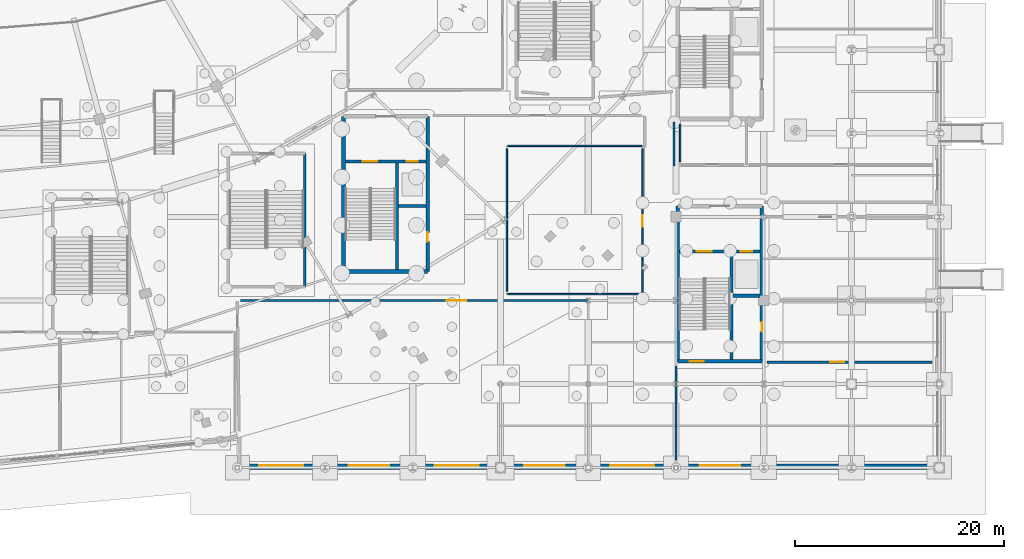
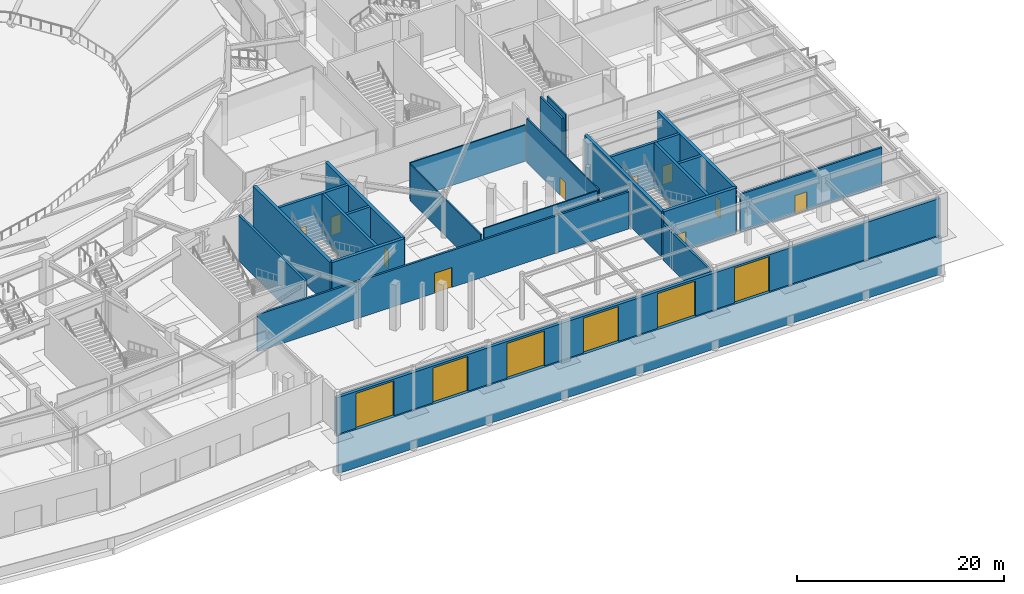
# One storey, part 60 of 93: 24 walls, 16 doors, 16 openings.
"""IFC4 building model written with IfcOpenShell, lengths in metres."""

from ifc_helpers import new_model, si_unit, direction, frame, frame_2d, origin, place, context, subcontext, project, spatial, rectangle, extrude, material, layer, layer_set, type_object, element, fill, save


model = new_model("IFC4")

# Units and contexts
model_context = context("Model", 3, precision=1e-05, world=origin(), true_north=direction((0.0, 1.0)))
body_context = subcontext(model_context, "Body", "Model", "MODEL_VIEW")
ifc_project = project(units=[si_unit("LENGTHUNIT", "METRE"), si_unit("AREAUNIT", "SQUARE_METRE"), si_unit("VOLUMEUNIT", "CUBIC_METRE"), si_unit("PLANEANGLEUNIT", "RADIAN"), si_unit("MASSUNIT", "GRAM", prefix="KILO")], contexts=[model_context])

# Site, building, storey
site_placement = place(None, origin())
site = spatial("IfcSite", under=ifc_project, at=site_placement, CompositionType="ELEMENT")
building_placement = place(site_placement, origin())
building = spatial("IfcBuilding", under=site, at=building_placement, Name="Kalgoora Escarpment Arena", CompositionType="ELEMENT")
storey_placement = place(building_placement, origin())
storey = spatial("IfcBuildingStorey", under=building, at=storey_placement, Name="L00", CompositionType="ELEMENT", Elevation=0.0)

# Walls
ifc_material_1 = material(Name="Impact-resistant athlete corridor partition", Category="gypsum")
ifc_layer_1 = layer(ifc_material_1, 0.155029296875)
ifc_layer_set_1 = layer_set([ifc_layer_1], Name="WAL-BOH-155")
wall_type_1 = type_object("IfcWallType", Name="WAL-BOH-155", PredefinedType="PARTITIONING", material=ifc_layer_set_1)
wall_1_placement = place(storey_placement, frame((160.0, 29.284912109375, 0.0), z_axis=(0.0, 0.0, 1.0), x_axis=(0.0, 1.0, 0.0)))
element("IfcWall", 1, at=wall_1_placement, inside=storey, type_object=wall_type_1, Name="L00 Strength Conditioning Gym partition wall", PredefinedType="PARTITIONING", context=body_context, shape_type="SweptSolid", body=[
    extrude(rectangle(XDim=3.590087890625, YDim=0.155029296875, at=frame_2d((1.794921875, 0.0))), origin(), (0.0, 0.0, 1.0), 5.1201171875),
])
ifc_material_2 = material(Name="Concrete N50 (fc' 50 MPa)", Category="concrete")
ifc_layer_2 = layer(ifc_material_2, 0.35009765625)
ifc_layer_set_2 = layer_set([ifc_layer_2], Name="WAL-CORE-350")
wall_type_2 = type_object("IfcWallType", Name="WAL-CORE-350", PredefinedType="SHEAR", material=ifc_layer_set_2)
wall_2_placement = place(storey_placement, frame((127.77490234375, 18.77490234375, 0.0), z_axis=(0.0, 0.0, 1.0), x_axis=(1.0, 0.0, 0.0)))
element("IfcWall", 2, at=wall_2_placement, inside=storey, type_object=wall_type_2, Name="Core C6 L00 south shear wall", PredefinedType="SHEAR", context=body_context, shape_type="SweptSolid", body=[
    extrude(rectangle(XDim=8.050048828125, YDim=0.35009765625, at=frame_2d((4.02490234375, 0.0))), origin(), (0.0, 0.0, 1.0), 5.39990234375),
])
wall_3_placement = place(storey_placement, frame((127.77490234375, 18.77490234375, 0.0), z_axis=(0.0, 0.0, 1.0), x_axis=(0.0, 1.0, 0.0)))
element("IfcWall", 3, at=wall_3_placement, inside=storey, type_object=wall_type_2, Name="Core C6 L00 west shear wall", PredefinedType="SHEAR", context=body_context, shape_type="SweptSolid", body=[
    extrude(rectangle(XDim=14.85009765625, YDim=0.35009765625, at=frame_2d((7.425048828125, 0.0))), origin(), (0.0, 0.0, 1.0), 5.39990234375),
])

# Wall, opening, door
wall_4_placement = place(storey_placement, frame((135.824951171875, 18.77490234375, 0.0), z_axis=(0.0, 0.0, 1.0), x_axis=(0.0, 1.0, 0.0)))
wall_4 = element("IfcWall", 4, at=wall_4_placement, inside=storey, type_object=wall_type_2, Name="Core C6 L00 east shear wall", PredefinedType="SHEAR", context=body_context, shape_type="SweptSolid", body=[
    extrude(rectangle(XDim=14.85009765625, YDim=0.35009765625, at=frame_2d((7.425048828125, 0.0))), origin(), (0.0, 0.0, 1.0), 5.39990234375),
])
opening_1_placement = place(wall_4_placement, frame((2.85498046875, 0.0, 0.0)))
opening_1 = element("IfcOpeningElement", 5, at=opening_1_placement, cuts=wall_4, Name="Opening FD-C6R", PredefinedType="OPENING", context=body_context, shape_type="SweptSolid", body=[
    extrude(rectangle(XDim=0.89990234375, YDim=2.10009765625, at=frame_2d((0.449951171875, 1.050048828125))), frame((0.0, 0.18505859375, 0.0), z_axis=(0.0, -1.0, 0.0), x_axis=(1.0, 0.0, 0.0)), (0.0, 0.0, 1.0), 0.3701171875),
])
ifc_material_3 = material(Name="Fire-rated steel riser access door", Category="steel")
door_type_1 = type_object("IfcDoorType", Name="DR-RISER-0900", OperationType="NOTDEFINED", PredefinedType="DOOR", material=ifc_material_3)
door_1_placement = place(opening_1_placement, origin())
door_1 = element("IfcDoor", 6, at=door_1_placement, inside=storey, type_object=door_type_1, Name="Core C6 L00 riser cupboard access door", OperationType="SINGLE_SWING_RIGHT", OverallHeight=2.10009765625, OverallWidth=0.89990234375, PredefinedType="DOOR", context=body_context, shape_type="SweptSolid", body=[
    extrude(rectangle(XDim=0.89990234375, YDim=2.10009765625, at=frame_2d((0.449951171875, 1.050048828125))), frame((0.0, 0.02490234375, 0.0), z_axis=(0.0, -1.0, 0.0), x_axis=(1.0, 0.0, 0.0)), (0.0, 0.0, 1.0), 0.050048828125),
])
fill(opening_1, door_1)

wall_5_placement = place(storey_placement, frame((159.77490234375, 10.175048828125, 0.0), z_axis=(0.0, 0.0, 1.0), x_axis=(1.0, 0.0, 0.0)))
wall_5 = element("IfcWall", 7, at=wall_5_placement, inside=storey, type_object=wall_type_2, Name="Core C8 L00 south shear wall", PredefinedType="SHEAR", context=body_context, shape_type="SweptSolid", body=[
    extrude(rectangle(XDim=8.050048828125, YDim=0.35009765625, at=frame_2d((4.02490234375, 0.0))), origin(), (0.0, 0.0, 1.0), 5.39990234375),
])
opening_2_placement = place(wall_5_placement, frame((1.14990234375, 0.0, 0.0)))
opening_2 = element("IfcOpeningElement", 8, at=opening_2_placement, cuts=wall_5, Name="Opening FD-ST08X", PredefinedType="OPENING", context=body_context, shape_type="SweptSolid", body=[
    extrude(rectangle(XDim=1.320068359375, YDim=2.199951171875, at=frame_2d((0.66015625, 1.10009765625))), frame((0.0, 0.18505859375, 0.0), z_axis=(0.0, -1.0, 0.0), x_axis=(1.0, 0.0, 0.0)), (0.0, 0.0, 1.0), 0.3701171875),
])
ifc_material_4 = material(Name="Fire-rated steel stair leaf with vision panel", Category="steel")
door_type_2 = type_object("IfcDoorType", Name="DR-STAIR-1320", OperationType="NOTDEFINED", PredefinedType="DOOR", material=ifc_material_4)
door_2_placement = place(opening_2_placement, origin())
door_2 = element("IfcDoor", 9, at=door_2_placement, inside=storey, type_object=door_type_2, Name="Fire stair ST08 L00 protected discharge door", OperationType="SINGLE_SWING_RIGHT", OverallHeight=2.199951171875, OverallWidth=1.320068359375, PredefinedType="DOOR", context=body_context, shape_type="SweptSolid", body=[
    extrude(rectangle(XDim=1.320068359375, YDim=2.199951171875, at=frame_2d((0.66015625, 1.10009765625))), frame((0.0, 0.02490234375, 0.0), z_axis=(0.0, -1.0, 0.0), x_axis=(1.0, 0.0, 0.0)), (0.0, 0.0, 1.0), 0.050048828125),
])
fill(opening_2, door_2)

# Wall
wall_6_placement = place(storey_placement, frame((159.77490234375, 10.175048828125, 0.0), z_axis=(0.0, 0.0, 1.0), x_axis=(0.0, 1.0, 0.0)))
element("IfcWall", 10, at=wall_6_placement, inside=storey, type_object=wall_type_2, Name="Core C8 L00 west shear wall", PredefinedType="SHEAR", context=body_context, shape_type="SweptSolid", body=[
    extrude(rectangle(XDim=14.849853515625, YDim=0.35009765625, at=frame_2d((7.4248046875, 0.0))), origin(), (0.0, 0.0, 1.0), 5.39990234375),
])

# Wall, opening, door
wall_7_placement = place(storey_placement, frame((167.824951171875, 10.175048828125, 0.0), z_axis=(0.0, 0.0, 1.0), x_axis=(0.0, 1.0, 0.0)))
wall_7 = element("IfcWall", 11, at=wall_7_placement, inside=storey, type_object=wall_type_2, Name="Core C8 L00 east shear wall", PredefinedType="SHEAR", context=body_context, shape_type="SweptSolid", body=[
    extrude(rectangle(XDim=14.849853515625, YDim=0.35009765625, at=frame_2d((7.4248046875, 0.0))), origin(), (0.0, 0.0, 1.0), 5.39990234375),
])
opening_3_placement = place(wall_7_placement, frame((2.85498046875, 0.0, 0.0)))
opening_3 = element("IfcOpeningElement", 12, at=opening_3_placement, cuts=wall_7, Name="Opening FD-C8R", PredefinedType="OPENING", context=body_context, shape_type="SweptSolid", body=[
    extrude(rectangle(XDim=0.89990234375, YDim=2.10009765625, at=frame_2d((0.449951171875, 1.050048828125))), frame((0.0, 0.18505859375, 0.0), z_axis=(0.0, -1.0, 0.0), x_axis=(1.0, 0.0, 0.0)), (0.0, 0.0, 1.0), 0.3701171875),
])
door_3_placement = place(opening_3_placement, origin())
door_3 = element("IfcDoor", 13, at=door_3_placement, inside=storey, type_object=door_type_1, Name="Core C8 L00 riser cupboard access door", OperationType="SINGLE_SWING_LEFT", OverallHeight=2.10009765625, OverallWidth=0.89990234375, PredefinedType="DOOR", context=body_context, shape_type="SweptSolid", body=[
    extrude(rectangle(XDim=0.89990234375, YDim=2.10009765625, at=frame_2d((0.449951171875, 1.050048828125))), frame((0.0, 0.02490234375, 0.0), z_axis=(0.0, -1.0, 0.0), x_axis=(1.0, 0.0, 0.0)), (0.0, 0.0, 1.0), 0.050048828125),
])
fill(opening_3, door_3)

# Wall, openings, doors
ifc_material_5 = material(Name="Cream limestone-faced precast concrete 40 MPa", Category="masonry")
ifc_layer_3 = layer(ifc_material_5, 0.360107421875)
ifc_layer_set_3 = layer_set([ifc_layer_3], Name="WAL-EXT-360")
wall_type_3 = type_object("IfcWallType", Name="WAL-EXT-360", PredefinedType="SOLIDWALL", material=ifc_layer_set_3)
wall_8_placement = place(storey_placement, frame((184.84326171875, 0.179931640625, 0.0), z_axis=(0.0, 0.0, 1.0), x_axis=(-1.0, 0.0, 0.0)))
wall_8 = element("IfcWall", 14, at=wall_8_placement, inside=storey, type_object=wall_type_3, Name="L00 limestone-faced external wall 002", PredefinedType="SOLIDWALL", context=body_context, shape_type="SweptSolid", body=[
    extrude(rectangle(XDim=67.286376953125, YDim=0.360107421875, at=frame_2d((33.64306640625, 0.0))), origin(), (0.0, 0.0, 1.0), 4.324951171875),
])
opening_4_placement = place(wall_8_placement, frame((60.943115234375, 0.0, 0.0)))
opening_4 = element("IfcOpeningElement", 15, at=opening_4_placement, cuts=wall_8, Name="Opening DS01", PredefinedType="OPENING", context=body_context, shape_type="SweptSolid", body=[
    extrude(rectangle(XDim=4.199951171875, YDim=4.10009765625, at=frame_2d((2.10009765625, 2.050048828125))), frame((0.0, 0.18994140625, 0.0), z_axis=(0.0, -1.0, 0.0), x_axis=(1.0, 0.0, 0.0)), (0.0, 0.0, 1.0), 0.380126953125),
])
opening_5_placement = place(wall_8_placement, frame((52.693115234375, 0.0, 0.0)))
opening_5 = element("IfcOpeningElement", 16, at=opening_5_placement, cuts=wall_8, Name="Opening DS02", PredefinedType="OPENING", context=body_context, shape_type="SweptSolid", body=[
    extrude(rectangle(XDim=3.89990234375, YDim=4.10009765625, at=frame_2d((1.949951171875, 2.050048828125))), frame((0.0, 0.18994140625, 0.0), z_axis=(0.0, -1.0, 0.0), x_axis=(1.0, 0.0, 0.0)), (0.0, 0.0, 1.0), 0.380126953125),
])
opening_6_placement = place(wall_8_placement, frame((44.14306640625, 0.0, 0.0)))
opening_6 = element("IfcOpeningElement", 17, at=opening_6_placement, cuts=wall_8, Name="Opening DS03", PredefinedType="OPENING", context=body_context, shape_type="SweptSolid", body=[
    extrude(rectangle(XDim=4.199951171875, YDim=4.10009765625, at=frame_2d((2.10009765625, 2.050048828125))), frame((0.0, 0.18994140625, 0.0), z_axis=(0.0, -1.0, 0.0), x_axis=(1.0, 0.0, 0.0)), (0.0, 0.0, 1.0), 0.380126953125),
])
opening_7_placement = place(wall_8_placement, frame((35.89306640625, 0.0, 0.0)))
opening_7 = element("IfcOpeningElement", 18, at=opening_7_placement, cuts=wall_8, Name="Opening DS04", PredefinedType="OPENING", context=body_context, shape_type="SweptSolid", body=[
    extrude(rectangle(XDim=3.89990234375, YDim=4.10009765625, at=frame_2d((1.949951171875, 2.050048828125))), frame((0.0, 0.18994140625, 0.0), z_axis=(0.0, -1.0, 0.0), x_axis=(1.0, 0.0, 0.0)), (0.0, 0.0, 1.0), 0.380126953125),
])
opening_8_placement = place(wall_8_placement, frame((27.343017578125, 0.0, 0.0)))
opening_8 = element("IfcOpeningElement", 19, at=opening_8_placement, cuts=wall_8, Name="Opening DS05", PredefinedType="OPENING", context=body_context, shape_type="SweptSolid", body=[
    extrude(rectangle(XDim=4.199951171875, YDim=4.10009765625, at=frame_2d((2.10009765625, 2.050048828125))), frame((0.0, 0.18994140625, 0.0), z_axis=(0.0, -1.0, 0.0), x_axis=(1.0, 0.0, 0.0)), (0.0, 0.0, 1.0), 0.380126953125),
])
opening_9_placement = place(wall_8_placement, frame((19.093017578125, 0.0, 0.0)))
opening_9 = element("IfcOpeningElement", 20, at=opening_9_placement, cuts=wall_8, Name="Opening DS06", PredefinedType="OPENING", context=body_context, shape_type="SweptSolid", body=[
    extrude(rectangle(XDim=3.89990234375, YDim=4.10009765625, at=frame_2d((1.949951171875, 2.050048828125))), frame((0.0, 0.18994140625, 0.0), z_axis=(0.0, -1.0, 0.0), x_axis=(1.0, 0.0, 0.0)), (0.0, 0.0, 1.0), 0.380126953125),
])
ifc_material_6 = material(Name="Galvanised steel acoustic roller shutter", Category="steel")
door_type_3 = type_object("IfcDoorType", Name="DR-DOCK-3900", OperationType="NOTDEFINED", PredefinedType="DOOR", material=ifc_material_6)
door_4_placement = place(opening_5_placement, origin())
door_4 = element("IfcDoor", 21, at=door_4_placement, inside=storey, type_object=door_type_3, Name="Loading dock roller shutter DS02", OperationType="ROLLINGUP", OverallHeight=4.10009765625, OverallWidth=3.89990234375, PredefinedType="DOOR", context=body_context, shape_type="SweptSolid", body=[
    extrude(rectangle(XDim=3.89990234375, YDim=4.10009765625, at=frame_2d((1.949951171875, 2.050048828125))), frame((0.0, 0.02490234375, 0.0), z_axis=(0.0, -1.0, 0.0), x_axis=(1.0, 0.0, 0.0)), (0.0, 0.0, 1.0), 0.050048828125),
])
fill(opening_5, door_4)
door_5_placement = place(opening_7_placement, origin())
door_5 = element("IfcDoor", 22, at=door_5_placement, inside=storey, type_object=door_type_3, Name="Loading dock roller shutter DS04", OperationType="ROLLINGUP", OverallHeight=4.10009765625, OverallWidth=3.89990234375, PredefinedType="DOOR", context=body_context, shape_type="SweptSolid", body=[
    extrude(rectangle(XDim=3.89990234375, YDim=4.10009765625, at=frame_2d((1.949951171875, 2.050048828125))), frame((0.0, 0.02490234375, 0.0), z_axis=(0.0, -1.0, 0.0), x_axis=(1.0, 0.0, 0.0)), (0.0, 0.0, 1.0), 0.050048828125),
])
fill(opening_7, door_5)
door_6_placement = place(opening_9_placement, origin())
door_6 = element("IfcDoor", 23, at=door_6_placement, inside=storey, type_object=door_type_3, Name="Loading dock roller shutter DS06", OperationType="ROLLINGUP", OverallHeight=4.10009765625, OverallWidth=3.89990234375, PredefinedType="DOOR", context=body_context, shape_type="SweptSolid", body=[
    extrude(rectangle(XDim=3.89990234375, YDim=4.10009765625, at=frame_2d((1.949951171875, 2.050048828125))), frame((0.0, 0.02490234375, 0.0), z_axis=(0.0, -1.0, 0.0), x_axis=(1.0, 0.0, 0.0)), (0.0, 0.0, 1.0), 0.050048828125),
])
fill(opening_9, door_6)
ifc_material_7 = material(Name="Galvanised steel acoustic roller shutter", Category="steel")
door_type_4 = type_object("IfcDoorType", Name="DR-DOCK-4200", OperationType="NOTDEFINED", PredefinedType="DOOR", material=ifc_material_7)
door_7_placement = place(opening_4_placement, origin())
door_7 = element("IfcDoor", 24, at=door_7_placement, inside=storey, type_object=door_type_4, Name="Loading dock roller shutter DS01", OperationType="ROLLINGUP", OverallHeight=4.10009765625, OverallWidth=4.199951171875, PredefinedType="DOOR", context=body_context, shape_type="SweptSolid", body=[
    extrude(rectangle(XDim=4.199951171875, YDim=4.10009765625, at=frame_2d((2.10009765625, 2.050048828125))), frame((0.0, 0.02490234375, 0.0), z_axis=(0.0, -1.0, 0.0), x_axis=(1.0, 0.0, 0.0)), (0.0, 0.0, 1.0), 0.050048828125),
])
fill(opening_4, door_7)
door_8_placement = place(opening_6_placement, origin())
door_8 = element("IfcDoor", 25, at=door_8_placement, inside=storey, type_object=door_type_4, Name="Loading dock roller shutter DS03", OperationType="ROLLINGUP", OverallHeight=4.10009765625, OverallWidth=4.199951171875, PredefinedType="DOOR", context=body_context, shape_type="SweptSolid", body=[
    extrude(rectangle(XDim=4.199951171875, YDim=4.10009765625, at=frame_2d((2.10009765625, 2.050048828125))), frame((0.0, 0.02490234375, 0.0), z_axis=(0.0, -1.0, 0.0), x_axis=(1.0, 0.0, 0.0)), (0.0, 0.0, 1.0), 0.050048828125),
])
fill(opening_6, door_8)
door_9_placement = place(opening_8_placement, origin())
door_9 = element("IfcDoor", 26, at=door_9_placement, inside=storey, type_object=door_type_4, Name="Loading dock roller shutter DS05", OperationType="ROLLINGUP", OverallHeight=4.10009765625, OverallWidth=4.199951171875, PredefinedType="DOOR", context=body_context, shape_type="SweptSolid", body=[
    extrude(rectangle(XDim=4.199951171875, YDim=4.10009765625, at=frame_2d((2.10009765625, 2.050048828125))), frame((0.0, 0.02490234375, 0.0), z_axis=(0.0, -1.0, 0.0), x_axis=(1.0, 0.0, 0.0)), (0.0, 0.0, 1.0), 0.050048828125),
])
fill(opening_8, door_9)

# Wall
ifc_material_8 = material(Name="Autoclaved aerated blockwork Concrete N40 (fc' 40 MPa)", Category="masonry")
ifc_layer_4 = layer(ifc_material_8, 0.219970703125)
ifc_layer_set_4 = layer_set([ifc_layer_4], Name="WAL-FIRE-220")
wall_type_4 = type_object("IfcWallType", Name="WAL-FIRE-220", PredefinedType="SOLIDWALL", material=ifc_layer_set_4)
wall_9_placement = place(storey_placement, frame((159.60009765625, 9.713623046875, 0.0), z_axis=(0.0, 0.0, 1.0), x_axis=(0.0, -1.0, 0.0)))
element("IfcWall", 27, at=wall_9_placement, inside=storey, type_object=wall_type_4, Name="L00 Loading Dock partition wall", PredefinedType="SOLIDWALL", context=body_context, shape_type="SweptSolid", body=[
    extrude(rectangle(XDim=9.003662109375, YDim=0.219970703125, at=frame_2d((4.501953125, 0.0))), origin(), (0.0, 0.0, 1.0), 4.294921875),
])

# Wall, opening, door
wall_10_placement = place(storey_placement, frame((117.8857421875, 16.0, 0.0), z_axis=(0.0, 0.0, 1.0), x_axis=(1.0, 0.0, 0.0)))
wall_10 = element("IfcWall", 28, at=wall_10_placement, inside=storey, type_object=wall_type_4, Name="L00 Loading Dock partition wall", PredefinedType="SOLIDWALL", context=body_context, shape_type="SweptSolid", body=[
    extrude(rectangle(XDim=41.38916015625, YDim=0.219970703125, at=frame_2d((20.694580078125, 0.0))), origin(), (0.0, 0.0, 1.0), 4.35498046875),
])
opening_10_placement = place(wall_10_placement, frame((19.74462890625, 0.0, 0.0)))
opening_10 = element("IfcOpeningElement", 29, at=opening_10_placement, cuts=wall_10, Name="Opening FD-I011", PredefinedType="OPENING", context=body_context, shape_type="SweptSolid", body=[
    extrude(rectangle(XDim=1.89990234375, YDim=2.35009765625, at=frame_2d((0.949951171875, 1.175048828125))), frame((0.0, 0.119873046875, 0.0), z_axis=(0.0, -1.0, 0.0), x_axis=(1.0, 0.0, 0.0)), (0.0, 0.0, 1.0), 0.239990234375),
])
ifc_material_9 = material(Name="Wide double athlete & equipment hall door")
door_type_5 = type_object("IfcDoorType", Name="DR-ATH-1900", OperationType="NOTDEFINED", PredefinedType="DOOR", material=ifc_material_9)
door_10_placement = place(opening_10_placement, origin())
door_10 = element("IfcDoor", 30, at=door_10_placement, inside=storey, type_object=door_type_5, Name="Loading Dock entrance door", OperationType="DOUBLE_DOOR_SINGLE_SWING", OverallHeight=2.35009765625, OverallWidth=1.89990234375, PredefinedType="DOOR", context=body_context, shape_type="SweptSolid", body=[
    extrude(rectangle(XDim=1.89990234375, YDim=2.35009765625, at=frame_2d((0.949951171875, 1.175048828125))), frame((0.0, 0.02490234375, 0.0), z_axis=(0.0, -1.0, 0.0), x_axis=(1.0, 0.0, 0.0)), (0.0, 0.0, 1.0), 0.050048828125),
])
fill(opening_10, door_10)

wall_11_placement = place(storey_placement, frame((168.318115234375, 10.10009765625, 0.0), z_axis=(0.0, 0.0, 1.0), x_axis=(1.0, 0.0, 0.0)))
wall_11 = element("IfcWall", 31, at=wall_11_placement, inside=storey, type_object=wall_type_4, Name="L00 South-East Protected Exit Passageway partition wall", PredefinedType="SOLIDWALL", context=body_context, shape_type="SweptSolid", body=[
    extrude(rectangle(XDim=15.77197265625, YDim=0.219970703125, at=frame_2d((7.885986328125, 0.0))), origin(), (0.0, 0.0, 1.0), 4.48291015625),
])
opening_11_placement = place(wall_11_placement, frame((6.06982421875, 0.0, 0.0)))
opening_11 = element("IfcOpeningElement", 32, at=opening_11_placement, cuts=wall_11, Name="Opening FD-I038", PredefinedType="OPENING", context=body_context, shape_type="SweptSolid", body=[
    extrude(rectangle(XDim=1.320068359375, YDim=2.199951171875, at=frame_2d((0.66015625, 1.10009765625))), frame((0.0, 0.119873046875, 0.0), z_axis=(0.0, -1.0, 0.0), x_axis=(1.0, 0.0, 0.0)), (0.0, 0.0, 1.0), 0.239990234375),
])
door_11_placement = place(opening_11_placement, origin())
door_11 = element("IfcDoor", 33, at=door_11_placement, inside=storey, type_object=door_type_2, Name="South-East Protected Exit Passageway entrance door", OperationType="SINGLE_SWING_LEFT", OverallHeight=2.199951171875, OverallWidth=1.320068359375, PredefinedType="DOOR", context=body_context, shape_type="SweptSolid", body=[
    extrude(rectangle(XDim=1.320068359375, YDim=2.199951171875, at=frame_2d((0.66015625, 1.10009765625))), frame((0.0, 0.02490234375, 0.0), z_axis=(0.0, -1.0, 0.0), x_axis=(1.0, 0.0, 0.0)), (0.0, 0.0, 1.0), 0.050048828125),
])
fill(opening_11, door_11)

# Walls
wall_12_placement = place(storey_placement, frame((159.39990234375, 33.106689453125, 0.0), z_axis=(0.0, 0.0, 1.0), x_axis=(0.0, -1.0, 0.0)))
element("IfcWall", 34, at=wall_12_placement, inside=storey, type_object=wall_type_4, Name="L00 East Protected Exit Passageway partition wall", PredefinedType="SOLIDWALL", context=body_context, shape_type="SweptSolid", body=[
    extrude(rectangle(XDim=4.226806640625, YDim=0.219970703125, at=frame_2d((2.11328125, 0.0))), origin(), (0.0, 0.0, 1.0), 5.1201171875),
])
ifc_material_10 = material(Name="Concrete N40 (fc' 40 MPa)", Category="concrete")
ifc_layer_5 = layer(ifc_material_10, 0.39501953125)
ifc_layer_set_5 = layer_set([ifc_layer_5], Name="WAL-RET-395")
wall_type_5 = type_object("IfcWallType", Name="WAL-RET-395", PredefinedType="USERDEFINED", material=ifc_layer_set_5)
wall_13_placement = place(storey_placement, frame((184.800048828125, 0.0, -4.5), z_axis=(0.0, 0.0, 1.0), x_axis=(-1.0, 0.0, 0.0)))
element("IfcWall", 35, at=wall_13_placement, inside=storey, type_object=wall_type_5, Name="Escarpment stepped limestone plinth retaining wall 02", ObjectType="RETAININGWALL", PredefinedType="USERDEFINED", context=body_context, shape_type="SweptSolid", body=[
    extrude(rectangle(XDim=67.199951171875, YDim=0.39501953125, at=frame_2d((33.60009765625, 0.0))), origin(), (0.0, 0.0, 1.0), 4.5),
])
ifc_material_11 = material(Name="Insulated steel-stud acoustic partition", Category="steel")
ifc_layer_6 = layer(ifc_material_11, 0.14501953125)
ifc_layer_set_6 = layer_set([ifc_layer_6], Name="WAL-ROOM-145")
wall_type_6 = type_object("IfcWallType", Name="WAL-ROOM-145", PredefinedType="PARTITIONING", material=ifc_layer_set_6)
wall_14_placement = place(storey_placement, frame((143.47998046875, 30.800048828125, 0.0), z_axis=(0.0, 0.0, 1.0), x_axis=(1.0, 0.0, 0.0)))
element("IfcWall", 36, at=wall_14_placement, inside=storey, type_object=wall_type_6, Name="L00 Production Staging Workshop partition wall", PredefinedType="PARTITIONING", context=body_context, shape_type="SweptSolid", body=[
    extrude(rectangle(XDim=12.840087890625, YDim=0.14501953125, at=frame_2d((6.419921875, 0.0))), origin(), (0.0, 0.0, 1.0), 4.294921875),
])

# Wall, opening, door
wall_15_placement = place(storey_placement, frame((156.39990234375, 30.51513671875, 0.0), z_axis=(0.0, 0.0, 1.0), x_axis=(0.0, -1.0, 0.0)))
wall_15 = element("IfcWall", 37, at=wall_15_placement, inside=storey, type_object=wall_type_6, Name="L00 Production Staging Workshop partition wall", PredefinedType="PARTITIONING", context=body_context, shape_type="SweptSolid", body=[
    extrude(rectangle(XDim=13.835205078125, YDim=0.14501953125, at=frame_2d((6.91748046875, 0.0))), origin(), (0.0, 0.0, 1.0), 5.179931640625),
])
opening_12_placement = place(wall_15_placement, frame((6.377685546875, 0.0, 0.0)))
opening_12 = element("IfcOpeningElement", 38, at=opening_12_placement, cuts=wall_15, Name="Opening FD-I027", PredefinedType="OPENING", context=body_context, shape_type="SweptSolid", body=[
    extrude(rectangle(XDim=1.080078125, YDim=2.14990234375, at=frame_2d((0.5400390625, 1.074951171875))), frame((0.0, 0.08251953125, 0.0), z_axis=(0.0, -1.0, 0.0), x_axis=(1.0, 0.0, 0.0)), (0.0, 0.0, 1.0), 0.1650390625),
])
ifc_material_12 = material(Name="Solid-core acoustic timber door", Category="wood")
door_type_6 = type_object("IfcDoorType", Name="DR-GEN-1080", OperationType="NOTDEFINED", PredefinedType="DOOR", material=ifc_material_12)
door_12_placement = place(opening_12_placement, origin())
door_12 = element("IfcDoor", 39, at=door_12_placement, inside=storey, type_object=door_type_6, Name="Production Staging Workshop entrance door", OperationType="SINGLE_SWING_RIGHT", OverallHeight=2.14990234375, OverallWidth=1.080078125, PredefinedType="DOOR", context=body_context, shape_type="SweptSolid", body=[
    extrude(rectangle(XDim=1.080078125, YDim=2.14990234375, at=frame_2d((0.5400390625, 1.074951171875))), frame((0.0, 0.02490234375, 0.0), z_axis=(0.0, -1.0, 0.0), x_axis=(1.0, 0.0, 0.0)), (0.0, 0.0, 1.0), 0.050048828125),
])
fill(opening_12, door_12)

# Walls
wall_16_placement = place(storey_placement, frame((156.115234375, 16.60009765625, 0.0), z_axis=(0.0, 0.0, 1.0), x_axis=(-1.0, 0.0, 0.0)))
element("IfcWall", 40, at=wall_16_placement, inside=storey, type_object=wall_type_6, Name="L00 Production Staging Workshop partition wall", PredefinedType="PARTITIONING", context=body_context, shape_type="SweptSolid", body=[
    extrude(rectangle(XDim=12.63525390625, YDim=0.14501953125, at=frame_2d((6.317626953125, 0.0))), origin(), (0.0, 0.0, 1.0), 5.179931640625),
])
wall_17_placement = place(storey_placement, frame((143.39990234375, 16.884765625, 0.0), z_axis=(0.0, 0.0, 1.0), x_axis=(0.0, 1.0, 0.0)))
element("IfcWall", 41, at=wall_17_placement, inside=storey, type_object=wall_type_6, Name="L00 Production Staging Workshop partition wall", PredefinedType="PARTITIONING", context=body_context, shape_type="SweptSolid", body=[
    extrude(rectangle(XDim=13.63037109375, YDim=0.14501953125, at=frame_2d((6.815185546875, 0.0))), origin(), (0.0, 0.0, 1.0), 4.294921875),
])

# Wall, openings, doors
ifc_material_13 = material(Name="Concrete N50 (fc' 50 MPa)", Category="concrete")
ifc_layer_7 = layer(ifc_material_13, 0.300048828125)
ifc_layer_set_7 = layer_set([ifc_layer_7], Name="WAL-SHAFT-300")
wall_type_7 = type_object("IfcWallType", Name="WAL-SHAFT-300", PredefinedType="SHEAR", material=ifc_layer_set_7)
wall_18_placement = place(storey_placement, frame((127.949951171875, 29.300048828125, 0.0), z_axis=(0.0, 0.0, 1.0), x_axis=(1.0, 0.0, 0.0)))
wall_18 = element("IfcWall", 42, at=wall_18_placement, inside=storey, type_object=wall_type_7, Name="Core C6 L00 lobby shaft wall", PredefinedType="SHEAR", context=body_context, shape_type="SweptSolid", body=[
    extrude(rectangle(XDim=7.699951171875, YDim=0.300048828125, at=frame_2d((3.85009765625, 0.0))), origin(), (0.0, 0.0, 1.0), 5.39990234375),
])
opening_13_placement = place(wall_18_placement, frame((1.64990234375, 0.0, 0.0)))
opening_13 = element("IfcOpeningElement", 43, at=opening_13_placement, cuts=wall_18, Name="Opening FD-ST06", PredefinedType="OPENING", context=body_context, shape_type="SweptSolid", body=[
    extrude(rectangle(XDim=1.39990234375, YDim=2.199951171875, at=frame_2d((0.699951171875, 1.10009765625))), frame((0.0, 0.159912109375, 0.0), z_axis=(0.0, -1.0, 0.0), x_axis=(1.0, 0.0, 0.0)), (0.0, 0.0, 1.0), 0.320068359375),
])
opening_14_placement = place(wall_18_placement, frame((5.85009765625, 0.0, 0.0)))
opening_14 = element("IfcOpeningElement", 44, at=opening_14_placement, cuts=wall_18, Name="Opening LD-PL4", PredefinedType="OPENING", context=body_context, shape_type="SweptSolid", body=[
    extrude(rectangle(XDim=1.10009765625, YDim=2.199951171875, at=frame_2d((0.550048828125, 1.10009765625))), frame((0.0, 0.159912109375, 0.0), z_axis=(0.0, -1.0, 0.0), x_axis=(1.0, 0.0, 0.0)), (0.0, 0.0, 1.0), 0.320068359375),
])
ifc_material_14 = material(Name="Brushed stainless steel sliding lift landing door", Category="steel")
door_type_7 = type_object("IfcDoorType", Name="DR-LD-PL4", OperationType="SLIDING_TO_LEFT", PredefinedType="DOOR", material=ifc_material_14)
door_13_placement = place(opening_14_placement, origin())
door_13 = element("IfcDoor", 45, at=door_13_placement, inside=storey, type_object=door_type_7, Name="Lift PL4 L00 sliding landing door", OperationType="SLIDING_TO_LEFT", OverallHeight=2.199951171875, OverallWidth=1.10009765625, PredefinedType="DOOR", context=body_context, shape_type="SweptSolid", body=[
    extrude(rectangle(XDim=1.10009765625, YDim=2.199951171875, at=frame_2d((0.550048828125, 1.10009765625))), frame((0.0, 0.02490234375, 0.0), z_axis=(0.0, -1.0, 0.0), x_axis=(1.0, 0.0, 0.0)), (0.0, 0.0, 1.0), 0.050048828125),
])
fill(opening_14, door_13)
ifc_material_15 = material(Name="Fire-rated steel stair leaf with vision panel", Category="steel")
door_type_8 = type_object("IfcDoorType", Name="DR-STAIR-1400", OperationType="NOTDEFINED", PredefinedType="DOOR", material=ifc_material_15)
door_14_placement = place(opening_13_placement, origin())
door_14 = element("IfcDoor", 46, at=door_14_placement, inside=storey, type_object=door_type_8, Name="Fire stair ST06 L00 fire door", OperationType="SINGLE_SWING_LEFT", OverallHeight=2.199951171875, OverallWidth=1.39990234375, PredefinedType="DOOR", context=body_context, shape_type="SweptSolid", body=[
    extrude(rectangle(XDim=1.39990234375, YDim=2.199951171875, at=frame_2d((0.699951171875, 1.10009765625))), frame((0.0, 0.02490234375, 0.0), z_axis=(0.0, -1.0, 0.0), x_axis=(1.0, 0.0, 0.0)), (0.0, 0.0, 1.0), 0.050048828125),
])
fill(opening_13, door_14)

# Walls
wall_19_placement = place(storey_placement, frame((132.89990234375, 18.949951171875, 0.0), z_axis=(0.0, 0.0, 1.0), x_axis=(0.0, 1.0, 0.0)))
element("IfcWall", 47, at=wall_19_placement, inside=storey, type_object=wall_type_7, Name="Core C6 L00 stair-lift spine wall", PredefinedType="SHEAR", context=body_context, shape_type="SweptSolid", body=[
    extrude(rectangle(XDim=10.35009765625, YDim=0.300048828125, at=frame_2d((5.175048828125, 0.0))), origin(), (0.0, 0.0, 1.0), 5.39990234375),
])
wall_20_placement = place(storey_placement, frame((133.050048828125, 25.050048828125, 0.0), z_axis=(0.0, 0.0, 1.0), x_axis=(1.0, 0.0, 0.0)))
element("IfcWall", 48, at=wall_20_placement, inside=storey, type_object=wall_type_7, Name="Core C6 L00 lift-riser divider wall", PredefinedType="SHEAR", context=body_context, shape_type="SweptSolid", body=[
    extrude(rectangle(XDim=2.599853515625, YDim=0.300048828125, at=frame_2d((1.2998046875, 0.0))), origin(), (0.0, 0.0, 1.0), 5.39990234375),
])

# Wall, openings, doors
wall_21_placement = place(storey_placement, frame((159.949951171875, 20.699951171875, 0.0), z_axis=(0.0, 0.0, 1.0), x_axis=(1.0, 0.0, 0.0)))
wall_21 = element("IfcWall", 49, at=wall_21_placement, inside=storey, type_object=wall_type_7, Name="Core C8 L00 lobby shaft wall", PredefinedType="SHEAR", context=body_context, shape_type="SweptSolid", body=[
    extrude(rectangle(XDim=7.699951171875, YDim=0.300048828125, at=frame_2d((3.85009765625, 0.0))), origin(), (0.0, 0.0, 1.0), 5.39990234375),
])
opening_15_placement = place(wall_21_placement, frame((1.64990234375, 0.0, 0.0)))
opening_15 = element("IfcOpeningElement", 50, at=opening_15_placement, cuts=wall_21, Name="Opening FD-ST08", PredefinedType="OPENING", context=body_context, shape_type="SweptSolid", body=[
    extrude(rectangle(XDim=1.39990234375, YDim=2.199951171875, at=frame_2d((0.699951171875, 1.10009765625))), frame((0.0, 0.159912109375, 0.0), z_axis=(0.0, -1.0, 0.0), x_axis=(1.0, 0.0, 0.0)), (0.0, 0.0, 1.0), 0.320068359375),
])
opening_16_placement = place(wall_21_placement, frame((5.85009765625, 0.0, 0.0)))
opening_16 = element("IfcOpeningElement", 51, at=opening_16_placement, cuts=wall_21, Name="Opening LD-GL2", PredefinedType="OPENING", context=body_context, shape_type="SweptSolid", body=[
    extrude(rectangle(XDim=1.10009765625, YDim=2.199951171875, at=frame_2d((0.550048828125, 1.10009765625))), frame((0.0, 0.159912109375, 0.0), z_axis=(0.0, -1.0, 0.0), x_axis=(1.0, 0.0, 0.0)), (0.0, 0.0, 1.0), 0.320068359375),
])
ifc_material_16 = material(Name="Brushed stainless steel sliding lift landing door", Category="steel")
door_type_9 = type_object("IfcDoorType", Name="DR-LD-GL2", OperationType="SLIDING_TO_LEFT", PredefinedType="DOOR", material=ifc_material_16)
door_15_placement = place(opening_16_placement, origin())
door_15 = element("IfcDoor", 52, at=door_15_placement, inside=storey, type_object=door_type_9, Name="Lift GL2 L00 sliding landing door", OperationType="SLIDING_TO_LEFT", OverallHeight=2.199951171875, OverallWidth=1.10009765625, PredefinedType="DOOR", context=body_context, shape_type="SweptSolid", body=[
    extrude(rectangle(XDim=1.10009765625, YDim=2.199951171875, at=frame_2d((0.550048828125, 1.10009765625))), frame((0.0, 0.02490234375, 0.0), z_axis=(0.0, -1.0, 0.0), x_axis=(1.0, 0.0, 0.0)), (0.0, 0.0, 1.0), 0.050048828125),
])
fill(opening_16, door_15)
door_16_placement = place(opening_15_placement, origin())
door_16 = element("IfcDoor", 53, at=door_16_placement, inside=storey, type_object=door_type_8, Name="Fire stair ST08 L00 fire door", OperationType="SINGLE_SWING_LEFT", OverallHeight=2.199951171875, OverallWidth=1.39990234375, PredefinedType="DOOR", context=body_context, shape_type="SweptSolid", body=[
    extrude(rectangle(XDim=1.39990234375, YDim=2.199951171875, at=frame_2d((0.699951171875, 1.10009765625))), frame((0.0, 0.02490234375, 0.0), z_axis=(0.0, -1.0, 0.0), x_axis=(1.0, 0.0, 0.0)), (0.0, 0.0, 1.0), 0.050048828125),
])
fill(opening_15, door_16)

# Walls
wall_22_placement = place(storey_placement, frame((164.89990234375, 10.35009765625, 0.0), z_axis=(0.0, 0.0, 1.0), x_axis=(0.0, 1.0, 0.0)))
element("IfcWall", 54, at=wall_22_placement, inside=storey, type_object=wall_type_7, Name="Core C8 L00 stair-lift spine wall", PredefinedType="SHEAR", context=body_context, shape_type="SweptSolid", body=[
    extrude(rectangle(XDim=10.349853515625, YDim=0.300048828125, at=frame_2d((5.1748046875, 0.0))), origin(), (0.0, 0.0, 1.0), 5.39990234375),
])
wall_23_placement = place(storey_placement, frame((165.050048828125, 16.449951171875, 0.0), z_axis=(0.0, 0.0, 1.0), x_axis=(1.0, 0.0, 0.0)))
element("IfcWall", 55, at=wall_23_placement, inside=storey, type_object=wall_type_7, Name="Core C8 L00 lift-riser divider wall", PredefinedType="SHEAR", context=body_context, shape_type="SweptSolid", body=[
    extrude(rectangle(XDim=2.599853515625, YDim=0.300048828125, at=frame_2d((1.2998046875, 0.0))), origin(), (0.0, 0.0, 1.0), 5.39990234375),
])
ifc_material_17 = material(Name="Concrete N50 (fc' 50 MPa)", Category="concrete")
ifc_layer_8 = layer(ifc_material_17, 0.25)
ifc_layer_set_8 = layer_set([ifc_layer_8], Name="WAL-STAIR-250")
wall_type_8 = type_object("IfcWallType", Name="WAL-STAIR-250", PredefinedType="SHEAR", material=ifc_layer_set_8)
wall_24_placement = place(storey_placement, frame((124.074951171875, 17.324951171875, 0.0), z_axis=(0.0, 0.0, 1.0), x_axis=(0.0, 1.0, 0.0)))
element("IfcWall", 56, at=wall_24_placement, inside=storey, type_object=wall_type_8, Name="Exit stair ST16 L00 east wall", PredefinedType="SHEAR", context=body_context, shape_type="SweptSolid", body=[
    extrude(rectangle(XDim=12.75, YDim=0.25, at=frame_2d((6.375, 0.0))), origin(), (0.0, 0.0, 1.0), 5.39990234375),
])

save(model, "model.ifc")
